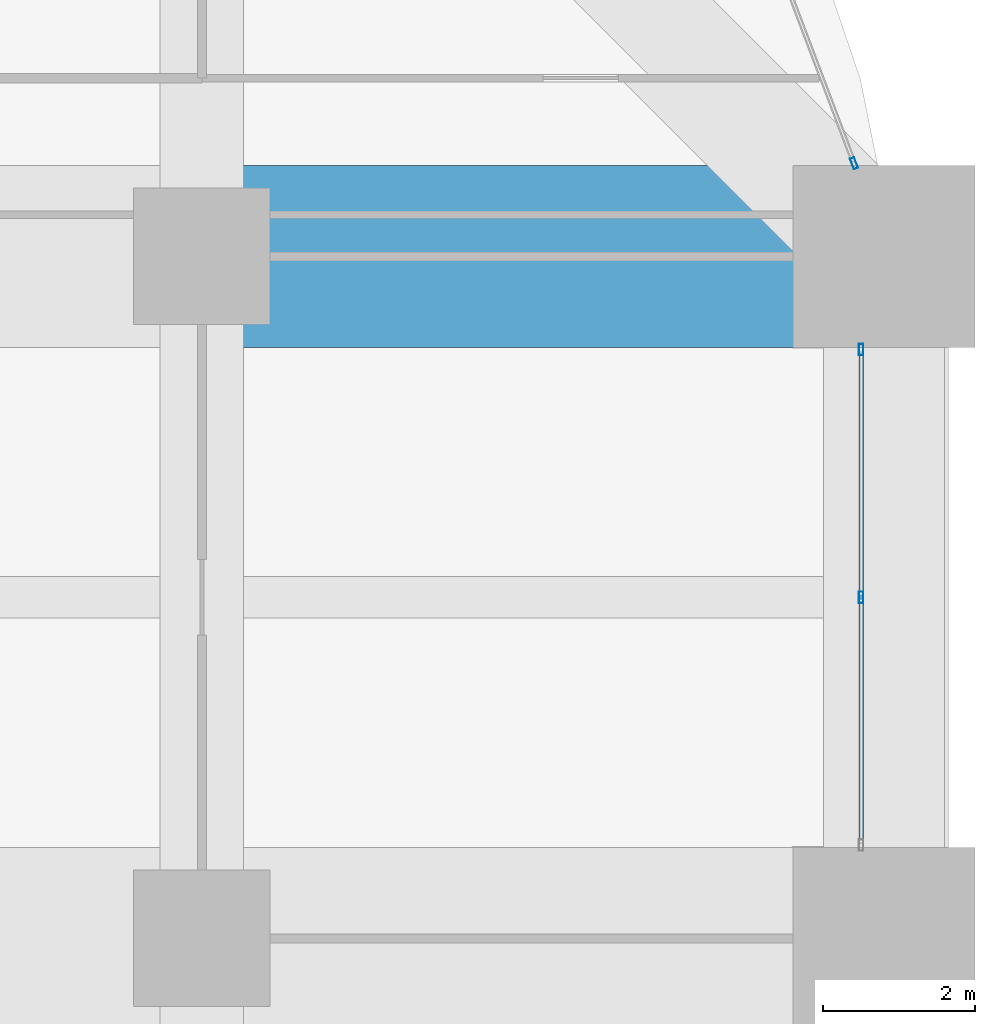
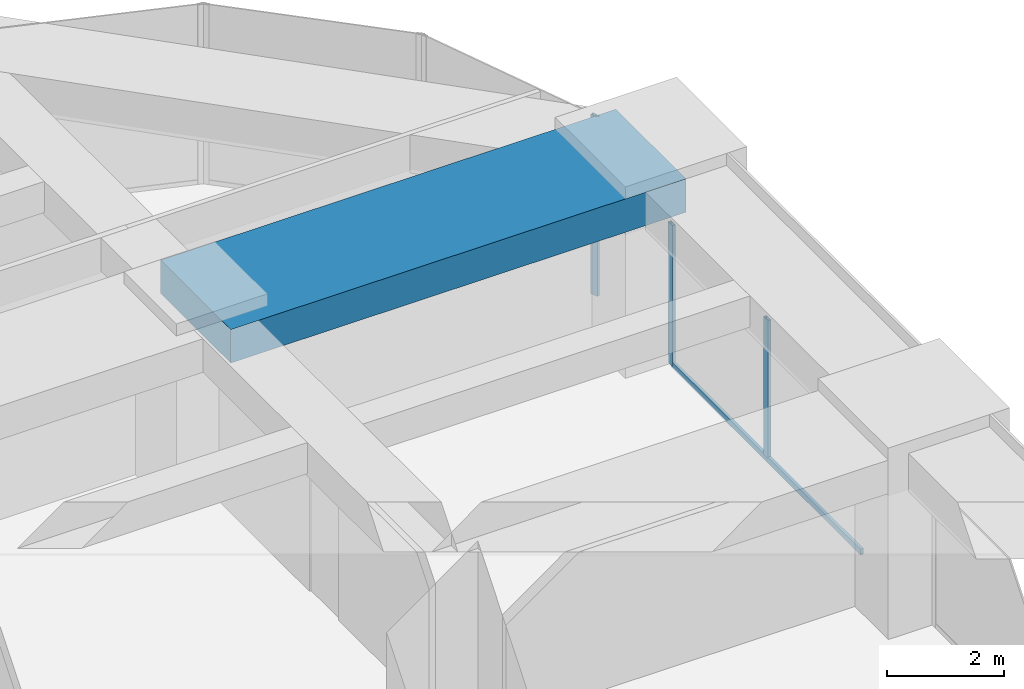
# One storey, part 33 of 43: 4 members, 1 beam, 2 elements without a shape of their own.
"""IFC4 building model written with IfcOpenShell, lengths in metres."""

from ifc_helpers import new_model, si_unit, direction, frame, origin, origin_2d, place, context, subcontext, project, spatial, rectangle, hollow_rectangle, extrude, material, material_profile, profile_set, type_object, element, aggregate, save


model = new_model("IFC4")

# Units and contexts
model_context = context("Model", 3, precision=1e-05, world=origin(), true_north=direction((0.0, 1.0)))
body_context = subcontext(model_context, "Body", "Model", "MODEL_VIEW")
ifc_project = project(units=[si_unit("LENGTHUNIT", "METRE"), si_unit("AREAUNIT", "SQUARE_METRE"), si_unit("VOLUMEUNIT", "CUBIC_METRE"), si_unit("PLANEANGLEUNIT", "RADIAN"), si_unit("MASSUNIT", "GRAM", prefix="KILO")], contexts=[model_context])

# Site, building, storey
site_placement = place(None, origin())
site = spatial("IfcSite", under=ifc_project, at=site_placement, CompositionType="ELEMENT")
building_placement = place(site_placement, origin())
building = spatial("IfcBuilding", under=site, at=building_placement, Name="Zorevar Civic Tower", CompositionType="ELEMENT")
storey_placement = place(building_placement, frame((0.0, 0.0, 145.0)))
storey = spatial("IfcBuildingStorey", under=building, at=storey_placement, Name="L35", CompositionType="ELEMENT", Elevation=145.0)

# Beam
ifc_material_1 = material(Name="Concrete C50/60", Category="concrete")
ifc_material_profile_1 = material_profile(ifc_material_1, rectangle(XDim=2.39990234375, YDim=0.699951171875, at=origin_2d()), Name="RC 2400x700")
ifc_profile_set_1 = profile_set([ifc_material_profile_1], Name="Concrete C50/60")
beam_type = type_object("IfcBeamType", Name="Beam RC 2400x700", PredefinedType="BEAM", material=ifc_profile_set_1)
beam_placement = place(storey_placement, frame((54.0, 36.0, 3.39990234375), z_axis=(1.0, 0.0, 0.0), x_axis=(0.0, 1.0, 0.0)))
element("IfcBeam", 1, at=beam_placement, inside=storey, type_object=beam_type, Name="Girder L36", PredefinedType="BEAM", context=body_context, shape_type="SweptSolid", body=[
    extrude(rectangle(XDim=2.39990234375, YDim=0.699951171875, at=origin_2d()), origin(), (0.0, 0.0, 1.0), 9.0),
])

# Curtain wall, members
ifc_material_2 = material(Name="Dark grey solar-control glass in black aluminium frame", Category="aluminium")
curtain_wall_type = type_object("IfcCurtainWallType", Name="Curtain wall CW3 mid zone", PredefinedType="NOTDEFINED", material=ifc_material_2)
curtain_wall_1_placement = place(storey_placement, origin())
curtain_wall_1 = element("IfcCurtainWall", 2, at=curtain_wall_1_placement, inside=storey, type_object=curtain_wall_type, Name="CW3 L35", PredefinedType="NOTDEFINED")
ifc_material_3 = material(Name="Aluminium, black anodised", Category="aluminium")
ifc_material_profile_2 = material_profile(ifc_material_3, hollow_rectangle(XDim=0.06005859375, YDim=0.14990234375, WallThickness=0.00390625, at=origin_2d()), Name="AL 150x60x4")
ifc_profile_set_2 = profile_set([ifc_material_profile_2], Name="Aluminium, black anodised")
member_type_1 = type_object("IfcMemberType", Name="CW3 mullion AL 150x60x4", PredefinedType="MULLION", material=ifc_profile_set_2)
member_1_placement = place(storey_placement, frame((62.699951171875, 31.5, 0.06005859375), z_axis=(0.0, 0.0, 1.0), x_axis=(-1.0, 0.0, 0.0)))
member_1 = element("IfcMember", 3, at=member_1_placement, type_object=member_type_1, Name="CW3 mullion 2", PredefinedType="MULLION", context=body_context, shape_type="SweptSolid", body=[
    extrude(hollow_rectangle(XDim=0.06005859375, YDim=0.14990234375, WallThickness=0.00390625, at=origin_2d()), origin(), (0.0, 0.0, 1.0), 2.889892578125),
])
member_2_placement = place(storey_placement, frame((62.699951171875, 34.77001953125, 0.0), z_axis=(0.0, 0.0, 1.0), x_axis=(-1.0, 0.0, 0.0)))
member_2 = element("IfcMember", 4, at=member_2_placement, type_object=member_type_1, Name="CW3 mullion 3", PredefinedType="MULLION", context=body_context, shape_type="SweptSolid", body=[
    extrude(hollow_rectangle(XDim=0.06005859375, YDim=0.14990234375, WallThickness=0.00390625, at=origin_2d()), origin(), (0.0, 0.0, 1.0), 2.949951171875),
])

# Curtain wall, member
curtain_wall_2_placement = place(storey_placement, origin())
curtain_wall_2 = element("IfcCurtainWall", 5, at=curtain_wall_2_placement, inside=storey, type_object=curtain_wall_type, Name="CW3 L35", PredefinedType="NOTDEFINED")
member_3_placement = place(storey_placement, frame((62.606201171875, 37.22802734375, 0.0), z_axis=(0.0, 0.0, 1.0), x_axis=(-0.935276561184, -0.353917722218, 0.0)))
member_3 = element("IfcMember", 6, at=member_3_placement, type_object=member_type_1, Name="CW3 mullion 1", PredefinedType="MULLION", context=body_context, shape_type="SweptSolid", body=[
    extrude(hollow_rectangle(XDim=0.06005859375, YDim=0.14990234375, WallThickness=0.00390625, at=origin_2d()), origin(), (0.0, 0.0, 1.0), 3.75),
])
aggregate(curtain_wall_2, [member_3])

# Member
ifc_material_4 = material(Name="Aluminium, black anodised", Category="aluminium")
ifc_material_profile_3 = material_profile(ifc_material_4, hollow_rectangle(XDim=0.06005859375, YDim=0.1201171875, WallThickness=0.0029296875, at=origin_2d()), Name="AL 120x60x3")
ifc_profile_set_3 = profile_set([ifc_material_profile_3], Name="Aluminium, black anodised")
member_type_2 = type_object("IfcMemberType", Name="CW3 transom AL 120x60x3", PredefinedType="USERDEFINED", material=ifc_profile_set_3)
member_4_placement = place(storey_placement, frame((62.699951171875, 28.260009765625, 0.030029296875), z_axis=(0.0, 1.0, 0.0), x_axis=(-1.0, 0.0, 0.0)))
member_4 = element("IfcMember", 7, at=member_4_placement, type_object=member_type_2, Name="CW3 sill transom", ObjectType="TRANSOM", PredefinedType="USERDEFINED", context=body_context, shape_type="SweptSolid", body=[
    extrude(hollow_rectangle(XDim=0.06005859375, YDim=0.1201171875, WallThickness=0.0029296875, at=origin_2d()), origin(), (0.0, 0.0, 1.0), 6.47998046875),
])

aggregate(curtain_wall_1, [member_1, member_2, member_4])

save(model, "model.ifc")
